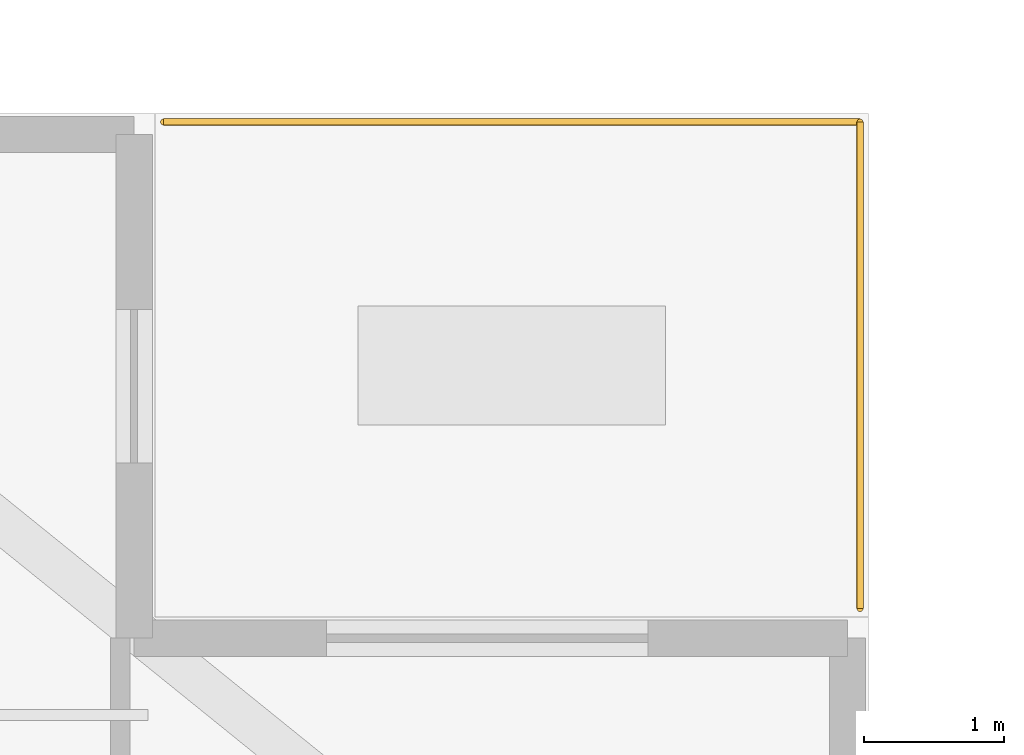
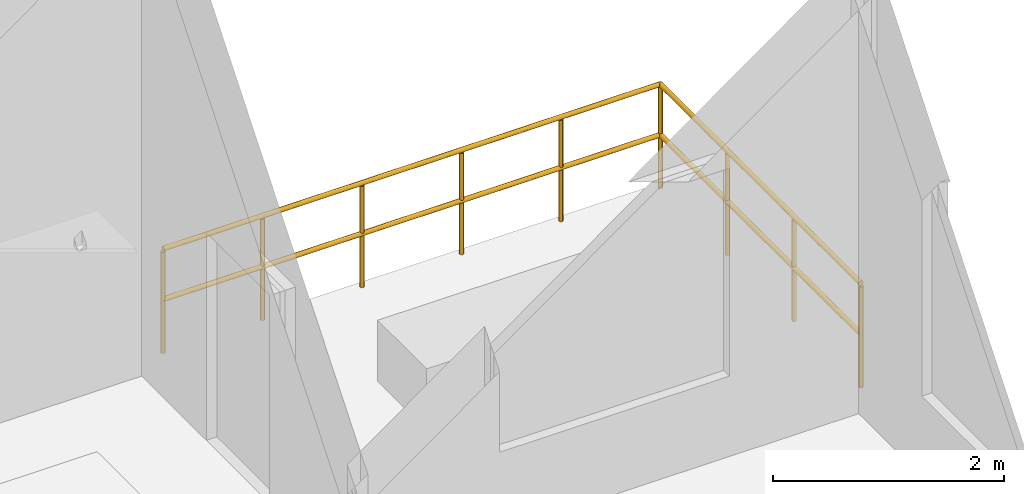
# One storey, part 23 of 23: 2 railings.
"""IFC4 building model written with IfcOpenShell, lengths in metres."""

from ifc_helpers import new_model, si_unit, direction, frame, origin, origin_2d, place, context, subcontext, project, spatial, circle, extrude, material, type_object, element, save


model = new_model("IFC4")

# Units and contexts
model_context = context("Model", 3, precision=1e-05, world=origin(), true_north=direction((0.0, 1.0)))
body_context = subcontext(model_context, "Body", "Model", "MODEL_VIEW")
ifc_project = project(units=[si_unit("LENGTHUNIT", "METRE"), si_unit("AREAUNIT", "SQUARE_METRE"), si_unit("VOLUMEUNIT", "CUBIC_METRE"), si_unit("PLANEANGLEUNIT", "RADIAN"), si_unit("MASSUNIT", "GRAM", prefix="KILO")], contexts=[model_context])

# Site, building, storey
site_placement = place(None, origin())
site = spatial("IfcSite", under=ifc_project, at=site_placement, CompositionType="ELEMENT")
building_placement = place(site_placement, origin())
building = spatial("IfcBuilding", under=site, at=building_placement, Name="Tarnavaz Court Tower", CompositionType="ELEMENT")
storey_placement = place(building_placement, frame((0.0, 0.0, 227.10009765625)))
storey = spatial("IfcBuildingStorey", under=building, at=storey_placement, Name="L62", CompositionType="ELEMENT", Elevation=227.10009765625)

# Railings
ifc_material = material(Name="Anodised Aluminium 6063-T6 and Laminated Safety Glass", Category="aluminium")
railing_type = type_object("IfcRailingType", Name="RL-BAL-1120", PredefinedType="BALUSTRADE", material=ifc_material)
railing_1_placement = place(storey_placement, frame((23.639892578125, 17.4599609375, 0.0)))
element("IfcRailing", 1, at=railing_1_placement, inside=storey, type_object=railing_type, Name="L62 Terrace 1 E Perimeter Balustrade", PredefinedType="BALUSTRADE", context=body_context, shape_type="SweptSolid", body=[
    extrude(circle(Radius=0.02392578125, at=origin_2d()), frame((0.0, 0.0, 1.09619140625), z_axis=(0.0, 1.0, 0.0), x_axis=(-1.0, 0.0, 0.0)), (0.0, 0.0, 1.0), 3.47998046875),
    extrude(circle(Radius=0.02392578125, at=origin_2d()), frame((0.0, 0.0, 0.56005859375), z_axis=(0.0, 1.0, 0.0), x_axis=(-1.0, 0.0, 0.0)), (0.0, 0.0, 1.0), 3.47998046875),
    extrude(circle(Radius=0.02099609375, at=origin_2d()), origin(), (0.0, 0.0, 1.0), 1.072021484375),
    extrude(circle(Radius=0.02099609375, at=origin_2d()), frame((0.0, 1.159912109375, 0.0)), (0.0, 0.0, 1.0), 1.072021484375),
    extrude(circle(Radius=0.02099609375, at=origin_2d()), frame((0.0, 2.320068359375, 0.0)), (0.0, 0.0, 1.0), 1.072021484375),
    extrude(circle(Radius=0.02099609375, at=origin_2d()), frame((0.0, 3.47998046875, 0.0)), (0.0, 0.0, 1.0), 1.072021484375),
])
railing_2_placement = place(storey_placement, frame((23.639892578125, 20.93994140625, 0.0)))
element("IfcRailing", 2, at=railing_2_placement, inside=storey, type_object=railing_type, Name="L62 Terrace 1 N Perimeter Balustrade", PredefinedType="BALUSTRADE", context=body_context, shape_type="SweptSolid", body=[
    extrude(circle(Radius=0.02392578125, at=origin_2d()), frame((0.0, 0.0, 1.09619140625), z_axis=(-1.0, 0.0, 0.0), x_axis=(0.0, -1.0, 0.0)), (0.0, 0.0, 1.0), 4.97998046875),
    extrude(circle(Radius=0.02392578125, at=origin_2d()), frame((0.0, 0.0, 0.56005859375), z_axis=(-1.0, 0.0, 0.0), x_axis=(0.0, -1.0, 0.0)), (0.0, 0.0, 1.0), 4.97998046875),
    extrude(circle(Radius=0.02099609375, at=origin_2d()), origin(), (0.0, 0.0, 1.0), 1.072021484375),
    extrude(circle(Radius=0.02099609375, at=origin_2d()), frame((-0.99609375, 0.0, 0.0)), (0.0, 0.0, 1.0), 1.072021484375),
    extrude(circle(Radius=0.02099609375, at=origin_2d()), frame((-1.991943359375, 0.0, 0.0)), (0.0, 0.0, 1.0), 1.072021484375),
    extrude(circle(Radius=0.02099609375, at=origin_2d()), frame((-2.988037109375, 0.0, 0.0)), (0.0, 0.0, 1.0), 1.072021484375),
    extrude(circle(Radius=0.02099609375, at=origin_2d()), frame((-3.98388671875, 0.0, 0.0)), (0.0, 0.0, 1.0), 1.072021484375),
    extrude(circle(Radius=0.02099609375, at=origin_2d()), frame((-4.97998046875, 0.0, 0.0)), (0.0, 0.0, 1.0), 1.072021484375),
])

save(model, "model.ifc")
